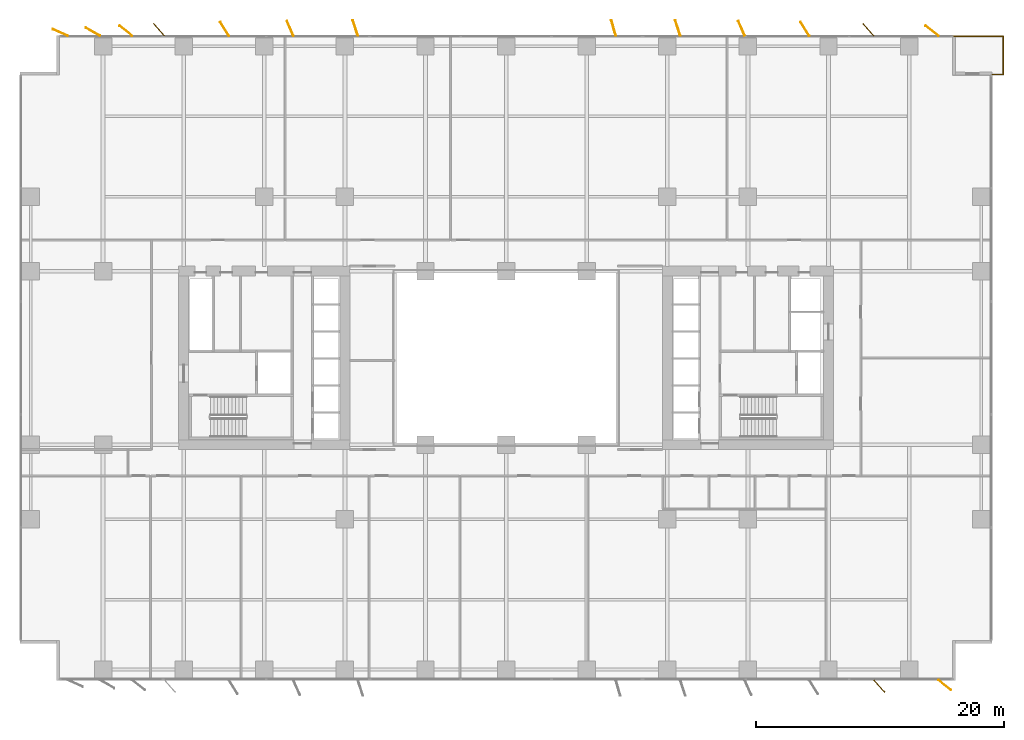
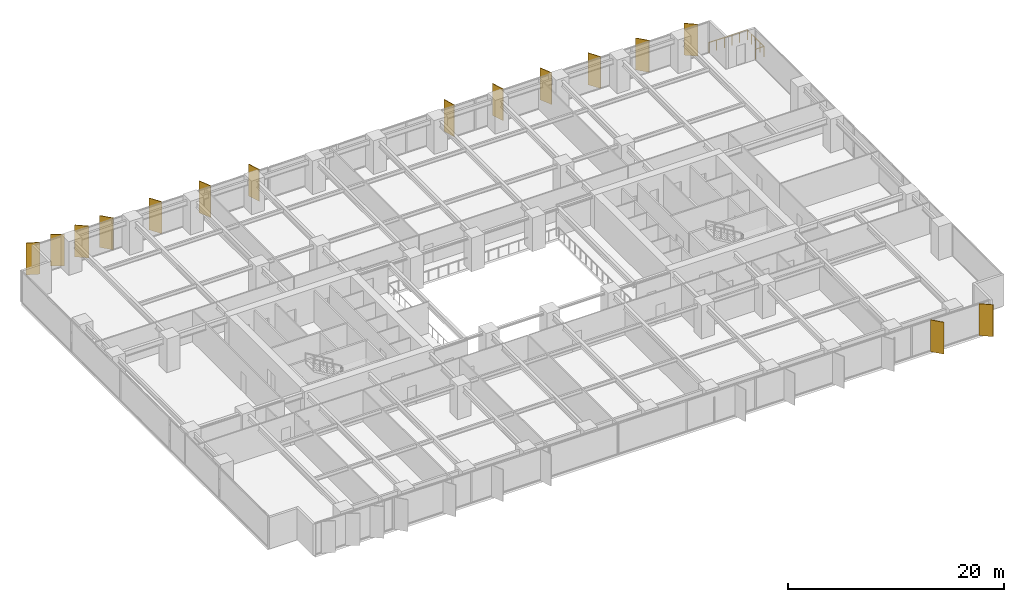
# One storey, part 20 of 20: 15 shading devices, 1 railing.
"""IFC4 building model written with IfcOpenShell, lengths in metres."""

from ifc_helpers import new_model, si_unit, direction, frame, origin, origin_2d, place, context, subcontext, project, spatial, rectangle, circle, extrude, material, layer, layer_set, type_object, element, save


model = new_model("IFC4")

# Units and contexts
model_context = context("Model", 3, precision=1e-05, world=origin(), true_north=direction((0.0, 1.0)))
body_context = subcontext(model_context, "Body", "Model", "MODEL_VIEW")
ifc_project = project(units=[si_unit("LENGTHUNIT", "METRE"), si_unit("AREAUNIT", "SQUARE_METRE"), si_unit("VOLUMEUNIT", "CUBIC_METRE"), si_unit("PLANEANGLEUNIT", "RADIAN"), si_unit("MASSUNIT", "GRAM", prefix="KILO")], contexts=[model_context])

# Site, building, storey
site_placement = place(None, origin())
site = spatial("IfcSite", under=ifc_project, at=site_placement, CompositionType="ELEMENT")
building_placement = place(site_placement, origin())
building = spatial("IfcBuilding", under=site, at=building_placement, Name="Putna Gate Headquarters", CompositionType="ELEMENT")
storey_placement = place(building_placement, frame((0.0, 0.0, 62.0)))
storey = spatial("IfcBuildingStorey", under=building, at=storey_placement, Name="L14", CompositionType="ELEMENT", Elevation=62.0)

# Railing
ifc_material_1 = material(Name="Anodised bronze steel and laminated glass guardrail", Category="steel")
railing_type = type_object("IfcRailingType", Name="RAIL-TERR-GUARD-1150", PredefinedType="GUARDRAIL", material=ifc_material_1)
railing_placement = place(storey_placement, frame((78.199951171875, 48.860107421875, 0.0)))
element("IfcRailing", 1, at=railing_placement, inside=storey, type_object=railing_type, Name="L14 Spiral Sky Terrace Guardrail NE", PredefinedType="GUARDRAIL", context=body_context, shape_type="SweptSolid", body=[
    extrude(circle(Radius=0.02392578125, at=origin_2d()), frame((0.0, 0.0, 1.1259765625), z_axis=(1.0, 0.0, 0.0), x_axis=(0.0, 1.0, 0.0)), (0.0, 0.0, 1.0), 0.89013671875),
    extrude(circle(Radius=0.02392578125, at=origin_2d()), frame((0.89013671875, 0.0, 1.1259765625), z_axis=(0.0, 1.0, 0.0), x_axis=(-1.0, 0.0, 0.0)), (0.0, 0.0, 1.0), 3.079833984375),
    extrude(circle(Radius=0.02392578125, at=origin_2d()), frame((0.89013671875, 3.079833984375, 1.1259765625), z_axis=(-1.0, 0.0, 0.0), x_axis=(0.0, -1.0, 0.0)), (0.0, 0.0, 1.0), 4.090087890625),
    extrude(circle(Radius=0.02099609375, at=origin_2d()), origin(), (0.0, 0.0, 1.0), 1.101806640625),
    extrude(circle(Radius=0.02099609375, at=origin_2d()), frame((0.89013671875, 0.0, 0.0)), (0.0, 0.0, 1.0), 1.101806640625),
    extrude(circle(Radius=0.02099609375, at=origin_2d()), frame((0.89013671875, 0.77001953125, 0.0)), (0.0, 0.0, 1.0), 1.101806640625),
    extrude(circle(Radius=0.02099609375, at=origin_2d()), frame((0.89013671875, 1.5400390625, 0.0)), (0.0, 0.0, 1.0), 1.101806640625),
    extrude(circle(Radius=0.02099609375, at=origin_2d()), frame((0.89013671875, 2.309814453125, 0.0)), (0.0, 0.0, 1.0), 1.101806640625),
    extrude(circle(Radius=0.02099609375, at=origin_2d()), frame((0.89013671875, 3.079833984375, 0.0)), (0.0, 0.0, 1.0), 1.101806640625),
    extrude(circle(Radius=0.02099609375, at=origin_2d()), frame((0.072021484375, 3.079833984375, 0.0)), (0.0, 0.0, 1.0), 1.101806640625),
    extrude(circle(Radius=0.02099609375, at=origin_2d()), frame((-0.745849609375, 3.079833984375, 0.0)), (0.0, 0.0, 1.0), 1.101806640625),
    extrude(circle(Radius=0.02099609375, at=origin_2d()), frame((-1.56396484375, 3.079833984375, 0.0)), (0.0, 0.0, 1.0), 1.101806640625),
    extrude(circle(Radius=0.02099609375, at=origin_2d()), frame((-2.3818359375, 3.079833984375, 0.0)), (0.0, 0.0, 1.0), 1.101806640625),
    extrude(circle(Radius=0.02099609375, at=origin_2d()), frame((-3.199951171875, 3.079833984375, 0.0)), (0.0, 0.0, 1.0), 1.101806640625),
])

# Shading devices
ifc_material_2 = material(Name="Anodised architectural bronze aluminium fin", Category="aluminium")
ifc_layer = layer(ifc_material_2, 0.06494140625)
ifc_layer_set = layer_set([ifc_layer], Name="Anodised architectural bronze aluminium fin")
shading_device_type = type_object("IfcShadingDeviceType", Name="SHADE-BRONZE-FIN-1320", PredefinedType="USERDEFINED", material=ifc_layer_set)
for number, where, z_axis, x_axis, name in (
    (2, (3.047119140625, 52.2431640625, -0.02001953125), (0.0, 0.0, 1.0), (-0.913687379856, 0.40641773078, 0.0), "L14 Bronze Vertical Shading Fin N1"),
    (3, (5.67626953125, 52.30126953125, -0.02001953125), (0.0, 0.0, 1.0), (-0.869322458298, 0.494245347472, 0.0), "L14 Bronze Vertical Shading Fin N2"),
    (4, (8.330322265625, 52.3818359375, -0.02001953125), (0.0, 0.0, 1.0), (-0.787473187632, 0.616348909921, 0.0), "L14 Bronze Vertical Shading Fin N3"),
    (5, (11.00830078125, 52.465576171875, -0.02001953125), (0.0, 0.0, 1.0), (-0.669130606359, 0.743144825477, 0.0), "L14 Bronze Vertical Shading Fin N4"),
    (6, (16.2998046875, 52.534423828125, -0.02001953125), (0.0, 0.0, 1.0), (-0.530659123936, 0.847585331506, 0.0), "L14 Bronze Vertical Shading Fin N5"),
    (7, (21.585693359375, 52.57958984375, -0.02001953125), (0.0, 0.0, 1.0), (-0.400668879095, 0.916222925562, 0.0), "L14 Bronze Vertical Shading Fin N6"),
    (8, (26.84619140625, 52.602783203125, -0.02001953125), (0.0, 0.0, 1.0), (-0.308684994204, 0.951164325631, 0.0), "L14 Bronze Vertical Shading Fin N7"),
    (9, (47.668212890625, 52.609375, -0.02001953125), (0.0, 0.0, 1.0), (-0.275637355817, 0.961261695938, 0.0), "L14 Bronze Vertical Shading Fin N8"),
    (10, (52.84619140625, 52.602783203125, -0.02001953125), (0.0, 0.0, 1.0), (-0.308684994204, 0.951164325631, 0.0), "L14 Bronze Vertical Shading Fin N9"),
    (11, (57.985595703125, 52.57958984375, -0.02001953125), (0.0, 0.0, 1.0), (-0.400668879095, 0.916222925562, 0.0), "L14 Bronze Vertical Shading Fin N10"),
    (12, (63.099853515625, 52.534423828125, -0.02001953125), (0.0, 0.0, 1.0), (-0.530659123936, 0.847585331506, 0.0), "L14 Bronze Vertical Shading Fin N11"),
    (13, (69.091552734375, -0.465576171875, -0.02001953125), (0.0, 0.0, 1.0), (0.669130606359, -0.743144825477, 0.0), "L14 Bronze Vertical Shading Fin S12"),
    (14, (68.20849609375, 52.465576171875, -0.02001953125), (0.0, 0.0, 1.0), (-0.669130606359, 0.743144825477, 0.0), "L14 Bronze Vertical Shading Fin N12"),
    (15, (74.36962890625, -0.3818359375, -0.02001953125), (0.0, 0.0, 1.0), (0.787473187632, -0.616348909921, 0.0), "L14 Bronze Vertical Shading Fin S13"),
    (16, (73.330322265625, 52.3818359375, -0.02001953125), (0.0, 0.0, 1.0), (-0.787473187632, 0.616348909921, 0.0), "L14 Bronze Vertical Shading Fin N13"),
):
    element("IfcShadingDevice", number, at=place(storey_placement, frame(where, z_axis=z_axis, x_axis=x_axis)), inside=storey, type_object=shading_device_type, Name=name, ObjectType="FIN", PredefinedType="USERDEFINED", context=body_context, shape_type="SweptSolid", body=[
        extrude(rectangle(XDim=1.320068359375, YDim=0.06494140625, at=origin_2d()), origin(), (0.0, 0.0, 1.0), 3.590087890625),
    ])

save(model, "model.ifc")
